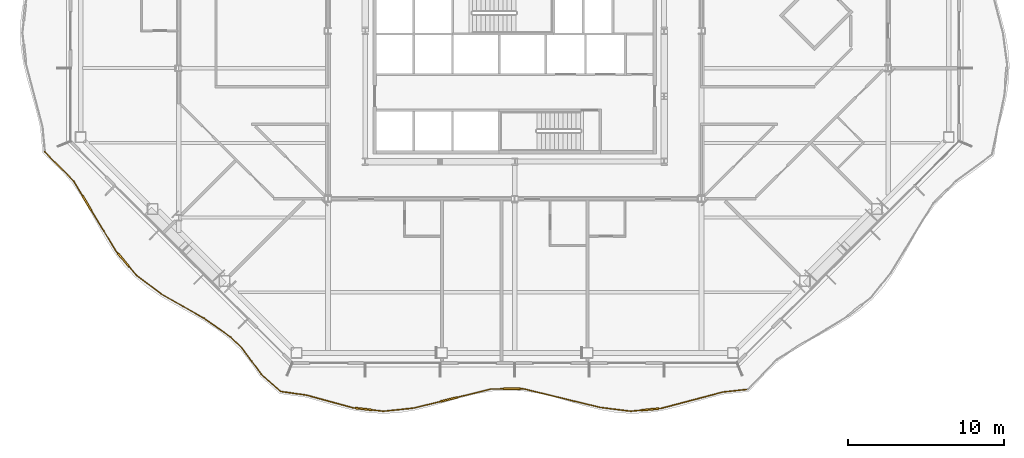
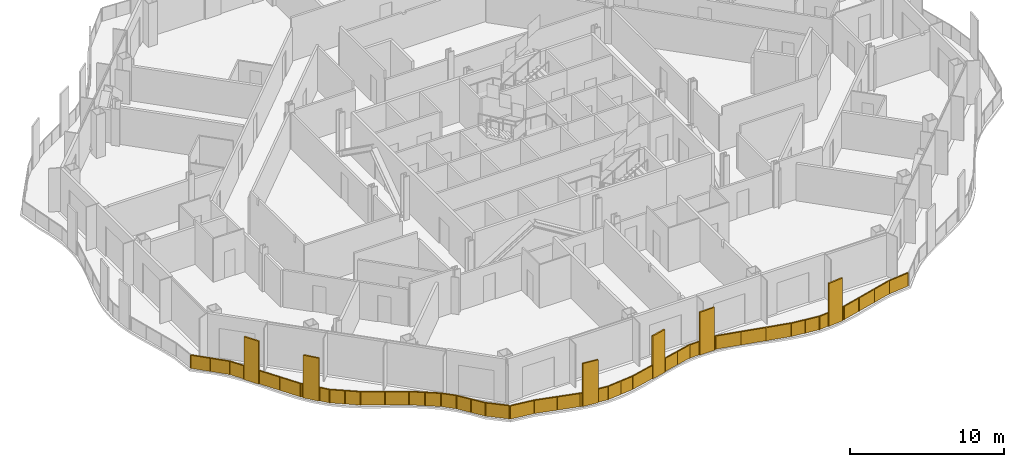
# One storey, part 15 of 21: 2 railings.
"""IFC4 building model written with IfcOpenShell, lengths in metres."""

from ifc_helpers import new_model, si_unit, direction, frame, origin, origin_2d, place, context, subcontext, project, spatial, polyline, rectangle, outline, extrude, material, type_object, element, save


model = new_model("IFC4")

# Units and contexts
model_context = context("Model", 3, precision=1e-05, world=origin(), true_north=direction((0.0, 1.0)))
body_context = subcontext(model_context, "Body", "Model", "MODEL_VIEW")
ifc_project = project(units=[si_unit("LENGTHUNIT", "METRE"), si_unit("AREAUNIT", "SQUARE_METRE"), si_unit("VOLUMEUNIT", "CUBIC_METRE"), si_unit("PLANEANGLEUNIT", "RADIAN"), si_unit("MASSUNIT", "GRAM", prefix="KILO")], contexts=[model_context])

# Site, building, storey
site_placement = place(None, origin())
site = spatial("IfcSite", under=ifc_project, at=site_placement, CompositionType="ELEMENT")
building_placement = place(site_placement, origin())
building = spatial("IfcBuilding", under=site, at=building_placement, Name="Cairn Pilgrim Tower", CompositionType="ELEMENT")
storey_placement = place(building_placement, frame((0.0, 0.0, 129.0)))
storey = spatial("IfcBuildingStorey", under=building, at=storey_placement, Name="L31", CompositionType="ELEMENT", Elevation=129.0)

# Railings
ifc_material = material(Name="Bronze anodised aluminium rail, posts and fin screens with laminated glass infill", Category="aluminium")
railing_type = type_object("IfcRailingType", Name="BALCONY GUARD WITH FIN SCREENS", PredefinedType="GUARDRAIL", material=ifc_material)
railing_1_placement = place(storey_placement, frame((-7.846435546875, -20.777587890625, 0.0)))
element("IfcRailing", 1, at=railing_1_placement, inside=storey, type_object=railing_type, Name="Balcony guard BGF-1 with fin screens", PredefinedType="GUARDRAIL", context=body_context, shape_type="SweptSolid", body=[
    extrude(rectangle(XDim=0.050048828125, YDim=0.050048828125, at=origin_2d()), frame((0.0, 0.0, 1.0751953125), z_axis=(0.990133932215, -0.140124217308, 0.0), x_axis=(0.140124217308, 0.990133932215, 0.0)), (0.0, 0.0, 1.0), 1.6865234375),
    extrude(rectangle(XDim=0.050048828125, YDim=0.050048828125, at=origin_2d()), frame((1.669921875, -0.236328125, 1.0751953125), z_axis=(0.964681627046, -0.263418599267, 0.0), x_axis=(0.263418599267, 0.964681627046, 0.0)), (0.0, 0.0, 1.0), 3.086181640625),
    extrude(rectangle(XDim=1.10009765625, YDim=0.110107421875, at=origin_2d()), frame((5.3427734375, -1.128173828125, 0.0), z_axis=(0.0, 0.0, 1.0), x_axis=(0.993627342822, -0.112715143601, 0.0)), (0.0, 0.0, 1.0), 3.39990234375),
    extrude(rectangle(XDim=0.050048828125, YDim=0.050048828125, at=origin_2d()), frame((4.647216796875, -1.04931640625, 1.0751953125), z_axis=(0.993627342822, -0.112715143601, 0.0), x_axis=(0.112715143601, 0.993627342822, 0.0)), (0.0, 0.0, 1.0), 0.14990234375),
    extrude(rectangle(XDim=0.050048828125, YDim=0.050048828125, at=origin_2d()), frame((5.88916015625, -1.190185546875, 1.0751953125), z_axis=(0.993627342822, -0.112715143601, 0.0), x_axis=(0.112715143601, 0.993627342822, 0.0)), (0.0, 0.0, 1.0), 0.72119140625),
    extrude(rectangle(XDim=0.050048828125, YDim=0.050048828125, at=origin_2d()), frame((6.605712890625, -1.271484375, 1.0751953125), z_axis=(0.994543405895, 0.104323601316, 0.0), x_axis=(-0.104323601316, 0.994543405895, 0.0)), (0.0, 0.0, 1.0), 1.970458984375),
    extrude(rectangle(XDim=1.10009765625, YDim=0.110107421875, at=origin_2d()), frame((10.822509765625, -0.509521484375, 0.0), z_axis=(0.0, 0.0, 1.0), x_axis=(0.970941979556, 0.239315006499, 0.0)), (0.0, 0.0, 1.0), 3.39990234375),
    extrude(rectangle(XDim=0.050048828125, YDim=0.050048828125, at=origin_2d()), frame((8.5654296875, -1.06591796875, 1.0751953125), z_axis=(0.970941979556, 0.239315006499, 0.0), x_axis=(-0.239315006499, 0.970941979556, 0.0)), (0.0, 0.0, 1.0), 1.774658203125),
    extrude(rectangle(XDim=0.050048828125, YDim=0.050048828125, at=origin_2d()), frame((11.3564453125, -0.3779296875, 1.0751953125), z_axis=(0.970941979556, 0.239315006499, 0.0), x_axis=(-0.239315006499, 0.970941979556, 0.0)), (0.0, 0.0, 1.0), 2.24658203125),
    extrude(rectangle(XDim=1.10009765625, YDim=0.110107421875, at=origin_2d()), frame((14.860107421875, 0.174072265625, 0.0), z_axis=(0.0, 0.0, 1.0), x_axis=(0.999939655436, 0.010985694633, 0.0)), (0.0, 0.0, 1.0), 3.39990234375),
    extrude(rectangle(XDim=0.050048828125, YDim=0.050048828125, at=origin_2d()), frame((13.537841796875, 0.15966796875, 1.0751953125), z_axis=(0.999939655436, 0.010985694633, 0.0), x_axis=(-0.010985694633, 0.999939655436, 0.0)), (0.0, 0.0, 1.0), 0.772216796875),
    extrude(rectangle(XDim=0.050048828125, YDim=0.050048828125, at=origin_2d()), frame((15.409912109375, 0.18017578125, 1.0751953125), z_axis=(0.999939655436, 0.010985694633, 0.0), x_axis=(-0.010985694633, 0.999939655436, 0.0)), (0.0, 0.0, 1.0), 0.150146484375),
    extrude(rectangle(XDim=0.050048828125, YDim=0.050048828125, at=origin_2d()), frame((15.56005859375, 0.181884765625, 1.0751953125), z_axis=(0.971802111938, -0.235797911851, 0.0), x_axis=(0.235797911851, 0.971802111938, 0.0)), (0.0, 0.0, 1.0), 5.119873046875),
    extrude(rectangle(XDim=0.050048828125, YDim=0.050048828125, at=origin_2d()), frame((20.53564453125, -1.025390625, 1.0751953125), z_axis=(0.992296866944, -0.123882718141, 0.0), x_axis=(0.123882718141, 0.992296866944, 0.0)), (0.0, 0.0, 1.0), 1.9765625),
    extrude(rectangle(XDim=1.10009765625, YDim=0.110107421875, at=origin_2d()), frame((23.757568359375, -1.15283203125, 0.0), z_axis=(0.0, 0.0, 1.0), x_axis=(0.995688155387, 0.092763663267, 0.0)), (0.0, 0.0, 1.0), 3.39990234375),
    extrude(rectangle(XDim=0.050048828125, YDim=0.050048828125, at=origin_2d()), frame((22.4970703125, -1.270263671875, 1.0751953125), z_axis=(0.995688155387, 0.092763663267, 0.0), x_axis=(-0.092763663267, 0.995688155387, 0.0)), (0.0, 0.0, 1.0), 0.7158203125),
    extrude(rectangle(XDim=0.050048828125, YDim=0.050048828125, at=origin_2d()), frame((24.30517578125, -1.101806640625, 1.0751953125), z_axis=(0.995688155387, 0.092763663267, 0.0), x_axis=(-0.092763663267, 0.995688155387, 0.0)), (0.0, 0.0, 1.0), 0.150146484375),
    extrude(rectangle(XDim=0.050048828125, YDim=0.050048828125, at=origin_2d()), frame((24.45458984375, -1.087890625, 1.0751953125), z_axis=(0.96665678413, 0.256075499989, 0.0), x_axis=(-0.256075499989, 0.96665678413, 0.0)), (0.0, 0.0, 1.0), 4.108154296875),
    extrude(rectangle(XDim=0.050048828125, YDim=0.050048828125, at=origin_2d()), frame((28.42578125, -0.035888671875, 1.0751953125), z_axis=(0.994116936595, 0.108312124783, 0.0), x_axis=(-0.108312124783, 0.994116936595, 0.0)), (0.0, 0.0, 1.0), 1.55517578125),
    extrude(rectangle(XDim=0.050048828125, YDim=0.050048828125, at=origin_2d()), origin(), (0.0, 0.0, 1.0), 1.050048828125),
    extrude(rectangle(XDim=0.050048828125, YDim=0.050048828125, at=origin_2d()), frame((1.669921875, -0.236328125, 0.0)), (0.0, 0.0, 1.0), 1.050048828125),
    extrude(rectangle(XDim=0.050048828125, YDim=0.050048828125, at=origin_2d()), frame((3.15869140625, -0.642822265625, 0.0)), (0.0, 0.0, 1.0), 1.050048828125),
    extrude(rectangle(XDim=0.050048828125, YDim=0.050048828125, at=origin_2d()), frame((4.647216796875, -1.04931640625, 0.0)), (0.0, 0.0, 1.0), 1.050048828125),
    extrude(rectangle(XDim=0.050048828125, YDim=0.050048828125, at=origin_2d()), frame((4.771240234375, -1.0634765625, 0.0)), (0.0, 0.0, 1.0), 1.050048828125),
    extrude(rectangle(XDim=0.050048828125, YDim=0.050048828125, at=origin_2d()), frame((5.9140625, -1.193115234375, 0.0)), (0.0, 0.0, 1.0), 1.050048828125),
    extrude(rectangle(XDim=0.050048828125, YDim=0.050048828125, at=origin_2d()), frame((6.605712890625, -1.271484375, 0.0)), (0.0, 0.0, 1.0), 1.050048828125),
    extrude(rectangle(XDim=0.050048828125, YDim=0.050048828125, at=origin_2d()), frame((7.58544921875, -1.168701171875, 0.0)), (0.0, 0.0, 1.0), 1.050048828125),
    extrude(rectangle(XDim=0.050048828125, YDim=0.050048828125, at=origin_2d()), frame((8.5654296875, -1.06591796875, 0.0)), (0.0, 0.0, 1.0), 1.050048828125),
    extrude(rectangle(XDim=0.050048828125, YDim=0.050048828125, at=origin_2d()), frame((10.26416015625, -0.647216796875, 0.0)), (0.0, 0.0, 1.0), 1.050048828125),
    extrude(rectangle(XDim=0.050048828125, YDim=0.050048828125, at=origin_2d()), frame((11.380859375, -0.3720703125, 0.0)), (0.0, 0.0, 1.0), 1.050048828125),
    extrude(rectangle(XDim=0.050048828125, YDim=0.050048828125, at=origin_2d()), frame((12.459228515625, -0.106201171875, 0.0)), (0.0, 0.0, 1.0), 1.050048828125),
    extrude(rectangle(XDim=0.050048828125, YDim=0.050048828125, at=origin_2d()), frame((13.537841796875, 0.15966796875, 0.0)), (0.0, 0.0, 1.0), 1.050048828125),
    extrude(rectangle(XDim=0.050048828125, YDim=0.050048828125, at=origin_2d()), frame((14.28515625, 0.16796875, 0.0)), (0.0, 0.0, 1.0), 1.050048828125),
    extrude(rectangle(XDim=0.050048828125, YDim=0.050048828125, at=origin_2d()), frame((15.43505859375, 0.180419921875, 0.0)), (0.0, 0.0, 1.0), 1.050048828125),
    extrude(rectangle(XDim=0.050048828125, YDim=0.050048828125, at=origin_2d()), frame((15.56005859375, 0.181884765625, 0.0)), (0.0, 0.0, 1.0), 1.050048828125),
    extrude(rectangle(XDim=0.050048828125, YDim=0.050048828125, at=origin_2d()), frame((17.218505859375, -0.220458984375, 0.0)), (0.0, 0.0, 1.0), 1.050048828125),
    extrude(rectangle(XDim=0.050048828125, YDim=0.050048828125, at=origin_2d()), frame((18.877197265625, -0.623046875, 0.0)), (0.0, 0.0, 1.0), 1.050048828125),
    extrude(rectangle(XDim=0.050048828125, YDim=0.050048828125, at=origin_2d()), frame((20.53564453125, -1.025390625, 0.0)), (0.0, 0.0, 1.0), 1.050048828125),
    extrude(rectangle(XDim=0.050048828125, YDim=0.050048828125, at=origin_2d()), frame((21.516357421875, -1.14794921875, 0.0)), (0.0, 0.0, 1.0), 1.050048828125),
    extrude(rectangle(XDim=0.050048828125, YDim=0.050048828125, at=origin_2d()), frame((22.4970703125, -1.270263671875, 0.0)), (0.0, 0.0, 1.0), 1.050048828125),
    extrude(rectangle(XDim=0.050048828125, YDim=0.050048828125, at=origin_2d()), frame((23.18505859375, -1.2060546875, 0.0)), (0.0, 0.0, 1.0), 1.050048828125),
    extrude(rectangle(XDim=0.050048828125, YDim=0.050048828125, at=origin_2d()), frame((24.330078125, -1.099609375, 0.0)), (0.0, 0.0, 1.0), 1.050048828125),
    extrude(rectangle(XDim=0.050048828125, YDim=0.050048828125, at=origin_2d()), frame((24.45458984375, -1.087890625, 0.0)), (0.0, 0.0, 1.0), 1.050048828125),
    extrude(rectangle(XDim=0.050048828125, YDim=0.050048828125, at=origin_2d()), frame((25.7783203125, -0.7373046875, 0.0)), (0.0, 0.0, 1.0), 1.050048828125),
    extrude(rectangle(XDim=0.050048828125, YDim=0.050048828125, at=origin_2d()), frame((27.10205078125, -0.386474609375, 0.0)), (0.0, 0.0, 1.0), 1.050048828125),
    extrude(rectangle(XDim=0.050048828125, YDim=0.050048828125, at=origin_2d()), frame((28.42578125, -0.035888671875, 0.0)), (0.0, 0.0, 1.0), 1.050048828125),
    extrude(rectangle(XDim=0.050048828125, YDim=0.050048828125, at=origin_2d()), frame((29.971923828125, 0.132568359375, 0.0)), (0.0, 0.0, 1.0), 1.050048828125),
    extrude(outline(polyline([(0.02490234375, 0.0), (1.66162109375, 0.0), (1.66162109375, 1.050048828125), (0.02490234375, 1.050048828125), (0.02490234375, 0.0)])), frame((0.000732421875, 0.005859375, 0.0), z_axis=(-0.140124217308, -0.990133932215, 0.0), x_axis=(0.990133932215, -0.140124217308, 0.0)), (0.0, 0.0, 1.0), 0.011962890625),
    extrude(outline(polyline([(0.02490234375, 0.0), (1.51806640625, 0.0), (1.51806640625, 1.050048828125), (0.02490234375, 1.050048828125), (0.02490234375, 0.0)])), frame((1.67138671875, -0.23046875, 0.0), z_axis=(-0.263418599267, -0.964681627046, 0.0), x_axis=(0.964681627046, -0.263418599267, 0.0)), (0.0, 0.0, 1.0), 0.011962890625),
    extrude(outline(polyline([(0.02490234375, 0.0), (1.51806640625, 0.0), (1.51806640625, 1.050048828125), (0.02490234375, 1.050048828125), (0.02490234375, 0.0)])), frame((3.16015625, -0.636962890625, 0.0), z_axis=(-0.263418599267, -0.964681627046, 0.0), x_axis=(0.964681627046, -0.263418599267, 0.0)), (0.0, 0.0, 1.0), 0.011962890625),
    extrude(outline(polyline([(0.02490234375, 0.0), (0.099853515625, 0.0), (0.099853515625, 1.050048828125), (0.02490234375, 1.050048828125), (0.02490234375, 0.0)])), frame((4.64794921875, -1.04345703125, 0.0), z_axis=(-0.112715143601, -0.993627342822, 0.0), x_axis=(0.993627342822, -0.112715143601, 0.0)), (0.0, 0.0, 1.0), 0.011962890625),
    extrude(outline(polyline([(0.02490234375, 0.0), (0.671142578125, 0.0), (0.671142578125, 1.050048828125), (0.02490234375, 1.050048828125), (0.02490234375, 0.0)])), frame((5.914794921875, -1.18701171875, 0.0), z_axis=(-0.112715143601, -0.993627342822, 0.0), x_axis=(0.993627342822, -0.112715143601, 0.0)), (0.0, 0.0, 1.0), 0.011962890625),
    extrude(outline(polyline([(0.02490234375, 0.0), (0.960205078125, 0.0), (0.960205078125, 1.050048828125), (0.02490234375, 1.050048828125), (0.02490234375, 0.0)])), frame((6.60498046875, -1.265625, 0.0), z_axis=(0.104323601316, -0.994543405895, 0.0), x_axis=(0.994543405895, 0.104323601316, 0.0)), (0.0, 0.0, 1.0), 0.011962890625),
    extrude(outline(polyline([(0.02490234375, 0.0), (0.960205078125, 0.0), (0.960205078125, 1.050048828125), (0.02490234375, 1.050048828125), (0.02490234375, 0.0)])), frame((7.5849609375, -1.162841796875, 0.0), z_axis=(0.104323601316, -0.994543405895, 0.0), x_axis=(0.994543405895, 0.104323601316, 0.0)), (0.0, 0.0, 1.0), 0.011962890625),
    extrude(outline(polyline([(0.02490234375, 0.0), (1.724609375, 0.0), (1.724609375, 1.050048828125), (0.02490234375, 1.050048828125), (0.02490234375, 0.0)])), frame((8.56396484375, -1.06005859375, 0.0), z_axis=(0.239315006499, -0.970941979556, 0.0), x_axis=(0.970941979556, 0.239315006499, 0.0)), (0.0, 0.0, 1.0), 0.011962890625),
    extrude(outline(polyline([(0.02490234375, 0.0), (1.085693359375, 0.0), (1.085693359375, 1.050048828125), (0.02490234375, 1.050048828125), (0.02490234375, 0.0)])), frame((11.37939453125, -0.3662109375, 0.0), z_axis=(0.239315006499, -0.970941979556, 0.0), x_axis=(0.970941979556, 0.239315006499, 0.0)), (0.0, 0.0, 1.0), 0.011962890625),
    extrude(outline(polyline([(0.02490234375, 0.0), (1.085693359375, 0.0), (1.085693359375, 1.050048828125), (0.02490234375, 1.050048828125), (0.02490234375, 0.0)])), frame((12.4580078125, -0.100341796875, 0.0), z_axis=(0.239315006499, -0.970941979556, 0.0), x_axis=(0.970941979556, 0.239315006499, 0.0)), (0.0, 0.0, 1.0), 0.011962890625),
    extrude(outline(polyline([(0.02490234375, 0.0), (0.72216796875, 0.0), (0.72216796875, 1.050048828125), (0.02490234375, 1.050048828125), (0.02490234375, 0.0)])), frame((13.537841796875, 0.16552734375, 0.0), z_axis=(0.010985694633, -0.999939655436, 0.0), x_axis=(0.999939655436, 0.010985694633, 0.0)), (0.0, 0.0, 1.0), 0.011962890625),
    extrude(outline(polyline([(0.02490234375, 0.0), (0.10009765625, 0.0), (0.10009765625, 1.050048828125), (0.02490234375, 1.050048828125), (0.02490234375, 0.0)])), frame((15.43505859375, 0.1865234375, 0.0), z_axis=(0.010985694633, -0.999939655436, 0.0), x_axis=(0.999939655436, 0.010985694633, 0.0)), (0.0, 0.0, 1.0), 0.011962890625),
    extrude(outline(polyline([(0.02490234375, 0.0), (1.681640625, 0.0), (1.681640625, 1.050048828125), (0.02490234375, 1.050048828125), (0.02490234375, 0.0)])), frame((15.5615234375, 0.187744140625, 0.0), z_axis=(-0.235797911851, -0.971802111938, 0.0), x_axis=(0.971802111938, -0.235797911851, 0.0)), (0.0, 0.0, 1.0), 0.011962890625),
    extrude(outline(polyline([(0.02490234375, 0.0), (1.681640625, 0.0), (1.681640625, 1.050048828125), (0.02490234375, 1.050048828125), (0.02490234375, 0.0)])), frame((17.219970703125, -0.21484375, 0.0), z_axis=(-0.235797911851, -0.971802111938, 0.0), x_axis=(0.971802111938, -0.235797911851, 0.0)), (0.0, 0.0, 1.0), 0.011962890625),
    extrude(outline(polyline([(0.02490234375, 0.0), (1.681640625, 0.0), (1.681640625, 1.050048828125), (0.02490234375, 1.050048828125), (0.02490234375, 0.0)])), frame((18.87841796875, -0.6171875, 0.0), z_axis=(-0.235797911851, -0.971802111938, 0.0), x_axis=(0.971802111938, -0.235797911851, 0.0)), (0.0, 0.0, 1.0), 0.011962890625),
    extrude(outline(polyline([(0.02490234375, 0.0), (0.96337890625, 0.0), (0.96337890625, 1.050048828125), (0.02490234375, 1.050048828125), (0.02490234375, 0.0)])), frame((20.536376953125, -1.01953125, 0.0), z_axis=(-0.123882718141, -0.992296866944, 0.0), x_axis=(0.992296866944, -0.123882718141, 0.0)), (0.0, 0.0, 1.0), 0.011962890625),
    extrude(outline(polyline([(0.02490234375, 0.0), (0.96337890625, 0.0), (0.96337890625, 1.050048828125), (0.02490234375, 1.050048828125), (0.02490234375, 0.0)])), frame((21.51708984375, -1.141845703125, 0.0), z_axis=(-0.123882718141, -0.992296866944, 0.0), x_axis=(0.992296866944, -0.123882718141, 0.0)), (0.0, 0.0, 1.0), 0.011962890625),
    extrude(outline(polyline([(0.02490234375, 0.0), (0.665771484375, 0.0), (0.665771484375, 1.050048828125), (0.02490234375, 1.050048828125), (0.02490234375, 0.0)])), frame((22.49658203125, -1.264404296875, 0.0), z_axis=(0.092763663267, -0.995688155387, 0.0), x_axis=(0.995688155387, 0.092763663267, 0.0)), (0.0, 0.0, 1.0), 0.011962890625),
    extrude(outline(polyline([(0.02490234375, 0.0), (0.10009765625, 0.0), (0.10009765625, 1.050048828125), (0.02490234375, 1.050048828125), (0.02490234375, 0.0)])), frame((24.32958984375, -1.093505859375, 0.0), z_axis=(0.092763663267, -0.995688155387, 0.0), x_axis=(0.995688155387, 0.092763663267, 0.0)), (0.0, 0.0, 1.0), 0.011962890625),
    extrude(outline(polyline([(0.02490234375, 0.0), (1.344482421875, 0.0), (1.344482421875, 1.050048828125), (0.02490234375, 1.050048828125), (0.02490234375, 0.0)])), frame((24.453125, -1.08203125, 0.0), z_axis=(0.256075499989, -0.96665678413, 0.0), x_axis=(0.96665678413, 0.256075499989, 0.0)), (0.0, 0.0, 1.0), 0.011962890625),
    extrude(outline(polyline([(0.02490234375, 0.0), (1.344482421875, 0.0), (1.344482421875, 1.050048828125), (0.02490234375, 1.050048828125), (0.02490234375, 0.0)])), frame((25.77685546875, -0.7314453125, 0.0), z_axis=(0.256075499989, -0.96665678413, 0.0), x_axis=(0.96665678413, 0.256075499989, 0.0)), (0.0, 0.0, 1.0), 0.011962890625),
    extrude(outline(polyline([(0.02490234375, 0.0), (1.344482421875, 0.0), (1.344482421875, 1.050048828125), (0.02490234375, 1.050048828125), (0.02490234375, 0.0)])), frame((27.1005859375, -0.380859375, 0.0), z_axis=(0.256075499989, -0.96665678413, 0.0), x_axis=(0.96665678413, 0.256075499989, 0.0)), (0.0, 0.0, 1.0), 0.011962890625),
    extrude(outline(polyline([(0.02490234375, 0.0), (1.5302734375, 0.0), (1.5302734375, 1.050048828125), (0.02490234375, 1.050048828125), (0.02490234375, 0.0)])), frame((28.425048828125, -0.030029296875, 0.0), z_axis=(0.108312124783, -0.994116936595, 0.0), x_axis=(0.994116936595, 0.108312124783, 0.0)), (0.0, 0.0, 1.0), 0.011962890625),
])
railing_2_placement = place(storey_placement, frame((-23.002685546875, -5.373779296875, 0.0)))
element("IfcRailing", 2, at=railing_2_placement, inside=storey, type_object=railing_type, Name="Balcony guard BGF-8 with fin screens", PredefinedType="GUARDRAIL", context=body_context, shape_type="SweptSolid", body=[
    extrude(rectangle(XDim=0.050048828125, YDim=0.050048828125, at=origin_2d()), frame((0.0, 0.0, 1.0751953125), z_axis=(0.700281137427, -0.713867164509, 0.0), x_axis=(0.713867164509, 0.700281137427, 0.0)), (0.0, 0.0, 1.0), 2.6416015625),
    extrude(rectangle(XDim=1.10009765625, YDim=0.110107421875, at=origin_2d()), frame((2.688720703125, -3.271728515625, 0.0), z_axis=(0.0, 0.0, 1.0), x_axis=(0.51782328521, -0.855487606745, 0.0)), (0.0, 0.0, 1.0), 3.39990234375),
    extrude(rectangle(XDim=0.050048828125, YDim=0.050048828125, at=origin_2d()), frame((1.849853515625, -1.8857421875, 1.0751953125), z_axis=(0.51782328521, -0.855487606745, 0.0), x_axis=(0.855487606745, 0.51782328521, 0.0)), (0.0, 0.0, 1.0), 1.0703125),
    extrude(rectangle(XDim=0.050048828125, YDim=0.050048828125, at=origin_2d()), frame((2.9736328125, -3.742431640625, 1.0751953125), z_axis=(0.51782328521, -0.855487606745, 0.0), x_axis=(0.855487606745, 0.51782328521, 0.0)), (0.0, 0.0, 1.0), 3.078125),
    extrude(rectangle(XDim=1.10009765625, YDim=0.110107421875, at=origin_2d()), frame((5.061279296875, -6.960205078125, 0.0), z_axis=(0.0, 0.0, 1.0), x_axis=(0.645246821236, -0.76397417475, 0.0)), (0.0, 0.0, 1.0), 3.39990234375),
    extrude(rectangle(XDim=0.050048828125, YDim=0.050048828125, at=origin_2d()), frame((4.567626953125, -6.375732421875, 1.0751953125), z_axis=(0.645246821236, -0.76397417475, 0.0), x_axis=(0.76397417475, 0.645246821236, 0.0)), (0.0, 0.0, 1.0), 0.215087890625),
    extrude(rectangle(XDim=0.050048828125, YDim=0.050048828125, at=origin_2d()), frame((5.416259765625, -7.38037109375, 1.0751953125), z_axis=(0.645246821236, -0.76397417475, 0.0), x_axis=(0.76397417475, 0.645246821236, 0.0)), (0.0, 0.0, 1.0), 0.699951171875),
    extrude(rectangle(XDim=0.050048828125, YDim=0.050048828125, at=origin_2d()), frame((5.867919921875, -7.915283203125, 1.0751953125), z_axis=(0.796986840183, -0.603996669341, 0.0), x_axis=(0.603996669341, 0.796986840183, 0.0)), (0.0, 0.0, 1.0), 2.029052734375),
    extrude(rectangle(XDim=0.050048828125, YDim=0.050048828125, at=origin_2d()), frame((7.485107421875, -9.140869140625, 1.0751953125), z_axis=(0.869983604749, -0.493080650064, 0.0), x_axis=(0.493080650064, 0.869983604749, 0.0)), (0.0, 0.0, 1.0), 3.1669921875),
    extrude(rectangle(XDim=0.050048828125, YDim=0.050048828125, at=origin_2d()), frame((10.240234375, -10.702392578125, 1.0751953125), z_axis=(0.816461407431, -0.577400008811, 0.0), x_axis=(0.577400008811, 0.816461407431, 0.0)), (0.0, 0.0, 1.0), 2.08544921875),
    extrude(rectangle(XDim=0.050048828125, YDim=0.050048828125, at=origin_2d()), frame((11.94287109375, -11.906494140625, 1.0751953125), z_axis=(0.715602073765, -0.69850817606, 0.0), x_axis=(0.69850817606, 0.715602073765, 0.0)), (0.0, 0.0, 1.0), 1.042724609375),
    extrude(rectangle(XDim=0.050048828125, YDim=0.050048828125, at=origin_2d()), frame((12.68896484375, -12.634765625, 1.0751953125), z_axis=(0.592814219925, -0.805339245694, 0.0), x_axis=(0.805339245694, 0.592814219925, 0.0)), (0.0, 0.0, 1.0), 2.056396484375),
    extrude(rectangle(XDim=0.050048828125, YDim=0.050048828125, at=origin_2d()), frame((13.907958984375, -14.290771484375, 1.0751953125), z_axis=(0.746447871373, -0.665443893445, 0.0), x_axis=(0.665443893445, 0.746447871373, 0.0)), (0.0, 0.0, 1.0), 1.612548828125),
    extrude(rectangle(XDim=0.050048828125, YDim=0.050048828125, at=origin_2d()), origin(), (0.0, 0.0, 1.0), 1.050048828125),
    extrude(rectangle(XDim=0.050048828125, YDim=0.050048828125, at=origin_2d()), frame((0.9248046875, -0.94287109375, 0.0)), (0.0, 0.0, 1.0), 1.050048828125),
    extrude(rectangle(XDim=0.050048828125, YDim=0.050048828125, at=origin_2d()), frame((1.849853515625, -1.8857421875, 0.0)), (0.0, 0.0, 1.0), 1.050048828125),
    extrude(rectangle(XDim=0.050048828125, YDim=0.050048828125, at=origin_2d()), frame((2.39111328125, -2.77978515625, 0.0)), (0.0, 0.0, 1.0), 1.050048828125),
    extrude(rectangle(XDim=0.050048828125, YDim=0.050048828125, at=origin_2d()), frame((2.986572265625, -3.763671875, 0.0)), (0.0, 0.0, 1.0), 1.050048828125),
    extrude(rectangle(XDim=0.050048828125, YDim=0.050048828125, at=origin_2d()), frame((3.777099609375, -5.06982421875, 0.0)), (0.0, 0.0, 1.0), 1.050048828125),
    extrude(rectangle(XDim=0.050048828125, YDim=0.050048828125, at=origin_2d()), frame((4.567626953125, -6.375732421875, 0.0)), (0.0, 0.0, 1.0), 1.050048828125),
    extrude(rectangle(XDim=0.050048828125, YDim=0.050048828125, at=origin_2d()), frame((4.6904296875, -6.52099609375, 0.0)), (0.0, 0.0, 1.0), 1.050048828125),
    extrude(rectangle(XDim=0.050048828125, YDim=0.050048828125, at=origin_2d()), frame((5.432373046875, -7.399658203125, 0.0)), (0.0, 0.0, 1.0), 1.050048828125),
    extrude(rectangle(XDim=0.050048828125, YDim=0.050048828125, at=origin_2d()), frame((5.867919921875, -7.915283203125, 0.0)), (0.0, 0.0, 1.0), 1.050048828125),
    extrude(rectangle(XDim=0.050048828125, YDim=0.050048828125, at=origin_2d()), frame((6.676513671875, -8.528076171875, 0.0)), (0.0, 0.0, 1.0), 1.050048828125),
    extrude(rectangle(XDim=0.050048828125, YDim=0.050048828125, at=origin_2d()), frame((7.485107421875, -9.140869140625, 0.0)), (0.0, 0.0, 1.0), 1.050048828125),
    extrude(rectangle(XDim=0.050048828125, YDim=0.050048828125, at=origin_2d()), frame((8.86279296875, -9.921630859375, 0.0)), (0.0, 0.0, 1.0), 1.050048828125),
    extrude(rectangle(XDim=0.050048828125, YDim=0.050048828125, at=origin_2d()), frame((10.240234375, -10.702392578125, 0.0)), (0.0, 0.0, 1.0), 1.050048828125),
    extrude(rectangle(XDim=0.050048828125, YDim=0.050048828125, at=origin_2d()), frame((11.091552734375, -11.304443359375, 0.0)), (0.0, 0.0, 1.0), 1.050048828125),
    extrude(rectangle(XDim=0.050048828125, YDim=0.050048828125, at=origin_2d()), frame((11.94287109375, -11.906494140625, 0.0)), (0.0, 0.0, 1.0), 1.050048828125),
    extrude(rectangle(XDim=0.050048828125, YDim=0.050048828125, at=origin_2d()), frame((12.68896484375, -12.634765625, 0.0)), (0.0, 0.0, 1.0), 1.050048828125),
    extrude(rectangle(XDim=0.050048828125, YDim=0.050048828125, at=origin_2d()), frame((13.29833984375, -13.462890625, 0.0)), (0.0, 0.0, 1.0), 1.050048828125),
    extrude(rectangle(XDim=0.050048828125, YDim=0.050048828125, at=origin_2d()), frame((13.907958984375, -14.290771484375, 0.0)), (0.0, 0.0, 1.0), 1.050048828125),
    extrude(rectangle(XDim=0.050048828125, YDim=0.050048828125, at=origin_2d()), frame((15.111572265625, -15.36376953125, 0.0)), (0.0, 0.0, 1.0), 1.050048828125),
    extrude(outline(polyline([(0.02490234375, 0.0), (1.295654296875, 0.0), (1.295654296875, 1.050048828125), (0.02490234375, 1.050048828125), (0.02490234375, 0.0)])), frame((0.004150390625, 0.004150390625, 0.0), z_axis=(-0.713867164509, -0.700281137427, 0.0), x_axis=(0.700281137427, -0.713867164509, 0.0)), (0.0, 0.0, 1.0), 0.011962890625),
    extrude(outline(polyline([(0.02490234375, 0.0), (1.295654296875, 0.0), (1.295654296875, 1.050048828125), (0.02490234375, 1.050048828125), (0.02490234375, 0.0)])), frame((0.92919921875, -0.938720703125, 0.0), z_axis=(-0.713867164509, -0.700281137427, 0.0), x_axis=(0.700281137427, -0.713867164509, 0.0)), (0.0, 0.0, 1.0), 0.011962890625),
    extrude(outline(polyline([(0.02490234375, 0.0), (1.020263671875, 0.0), (1.020263671875, 1.050048828125), (0.02490234375, 1.050048828125), (0.02490234375, 0.0)])), frame((1.85498046875, -1.882568359375, 0.0), z_axis=(-0.855487606745, -0.51782328521, 0.0), x_axis=(0.51782328521, -0.855487606745, 0.0)), (0.0, 0.0, 1.0), 0.011962890625),
    extrude(outline(polyline([(0.02490234375, 0.0), (1.50146484375, 0.0), (1.50146484375, 1.050048828125), (0.02490234375, 1.050048828125), (0.02490234375, 0.0)])), frame((2.99169921875, -3.7607421875, 0.0), z_axis=(-0.855487606745, -0.51782328521, 0.0), x_axis=(0.51782328521, -0.855487606745, 0.0)), (0.0, 0.0, 1.0), 0.011962890625),
    extrude(outline(polyline([(0.02490234375, 0.0), (1.50146484375, 0.0), (1.50146484375, 1.050048828125), (0.02490234375, 1.050048828125), (0.02490234375, 0.0)])), frame((3.7822265625, -5.066650390625, 0.0), z_axis=(-0.855487606745, -0.51782328521, 0.0), x_axis=(0.51782328521, -0.855487606745, 0.0)), (0.0, 0.0, 1.0), 0.011962890625),
    extrude(outline(polyline([(0.02490234375, 0.0), (0.1650390625, 0.0), (0.1650390625, 1.050048828125), (0.02490234375, 1.050048828125), (0.02490234375, 0.0)])), frame((4.572265625, -6.371826171875, 0.0), z_axis=(-0.76397417475, -0.645246821236, 0.0), x_axis=(0.645246821236, -0.76397417475, 0.0)), (0.0, 0.0, 1.0), 0.011962890625),
    extrude(outline(polyline([(0.02490234375, 0.0), (0.64990234375, 0.0), (0.64990234375, 1.050048828125), (0.02490234375, 1.050048828125), (0.02490234375, 0.0)])), frame((5.43701171875, -7.395751953125, 0.0), z_axis=(-0.76397417475, -0.645246821236, 0.0), x_axis=(0.645246821236, -0.76397417475, 0.0)), (0.0, 0.0, 1.0), 0.011962890625),
    extrude(outline(polyline([(0.02490234375, 0.0), (0.989501953125, 0.0), (0.989501953125, 1.050048828125), (0.02490234375, 1.050048828125), (0.02490234375, 0.0)])), frame((5.87158203125, -7.910400390625, 0.0), z_axis=(-0.603996669341, -0.796986840183, 0.0), x_axis=(0.796986840183, -0.603996669341, 0.0)), (0.0, 0.0, 1.0), 0.011962890625),
    extrude(outline(polyline([(0.02490234375, 0.0), (0.989501953125, 0.0), (0.989501953125, 1.050048828125), (0.02490234375, 1.050048828125), (0.02490234375, 0.0)])), frame((6.68017578125, -8.523193359375, 0.0), z_axis=(-0.603996669341, -0.796986840183, 0.0), x_axis=(0.796986840183, -0.603996669341, 0.0)), (0.0, 0.0, 1.0), 0.011962890625),
    extrude(outline(polyline([(0.02490234375, 0.0), (1.558349609375, 0.0), (1.558349609375, 1.050048828125), (0.02490234375, 1.050048828125), (0.02490234375, 0.0)])), frame((7.488037109375, -9.1357421875, 0.0), z_axis=(-0.493080650064, -0.869983604749, 0.0), x_axis=(0.869983604749, -0.493080650064, 0.0)), (0.0, 0.0, 1.0), 0.011962890625),
    extrude(outline(polyline([(0.02490234375, 0.0), (1.558349609375, 0.0), (1.558349609375, 1.050048828125), (0.02490234375, 1.050048828125), (0.02490234375, 0.0)])), frame((8.86572265625, -9.91650390625, 0.0), z_axis=(-0.493080650064, -0.869983604749, 0.0), x_axis=(0.869983604749, -0.493080650064, 0.0)), (0.0, 0.0, 1.0), 0.011962890625),
    extrude(outline(polyline([(0.02490234375, 0.0), (1.017578125, 0.0), (1.017578125, 1.050048828125), (0.02490234375, 1.050048828125), (0.02490234375, 0.0)])), frame((10.24365234375, -10.697509765625, 0.0), z_axis=(-0.577400008811, -0.816461407431, 0.0), x_axis=(0.816461407431, -0.577400008811, 0.0)), (0.0, 0.0, 1.0), 0.011962890625),
    extrude(outline(polyline([(0.02490234375, 0.0), (1.017578125, 0.0), (1.017578125, 1.050048828125), (0.02490234375, 1.050048828125), (0.02490234375, 0.0)])), frame((11.094970703125, -11.299560546875, 0.0), z_axis=(-0.577400008811, -0.816461407431, 0.0), x_axis=(0.816461407431, -0.577400008811, 0.0)), (0.0, 0.0, 1.0), 0.011962890625),
    extrude(outline(polyline([(0.02490234375, 0.0), (1.017578125, 0.0), (1.017578125, 1.050048828125), (0.02490234375, 1.050048828125), (0.02490234375, 0.0)])), frame((11.947021484375, -11.902099609375, 0.0), z_axis=(-0.69850817606, -0.715602073765, 0.0), x_axis=(0.715602073765, -0.69850817606, 0.0)), (0.0, 0.0, 1.0), 0.011962890625),
    extrude(outline(polyline([(0.02490234375, 0.0), (1.003173828125, 0.0), (1.003173828125, 1.050048828125), (0.02490234375, 1.050048828125), (0.02490234375, 0.0)])), frame((12.69384765625, -12.631103515625, 0.0), z_axis=(-0.805339245694, -0.592814219925, 0.0), x_axis=(0.592814219925, -0.805339245694, 0.0)), (0.0, 0.0, 1.0), 0.011962890625),
    extrude(outline(polyline([(0.02490234375, 0.0), (1.003173828125, 0.0), (1.003173828125, 1.050048828125), (0.02490234375, 1.050048828125), (0.02490234375, 0.0)])), frame((13.30322265625, -13.459228515625, 0.0), z_axis=(-0.805339245694, -0.592814219925, 0.0), x_axis=(0.592814219925, -0.805339245694, 0.0)), (0.0, 0.0, 1.0), 0.011962890625),
    extrude(outline(polyline([(0.02490234375, 0.0), (1.58740234375, 0.0), (1.58740234375, 1.050048828125), (0.02490234375, 1.050048828125), (0.02490234375, 0.0)])), frame((13.911865234375, -14.286376953125, 0.0), z_axis=(-0.665443893445, -0.746447871373, 0.0), x_axis=(0.746447871373, -0.665443893445, 0.0)), (0.0, 0.0, 1.0), 0.011962890625),
])

save(model, "model.ifc")
